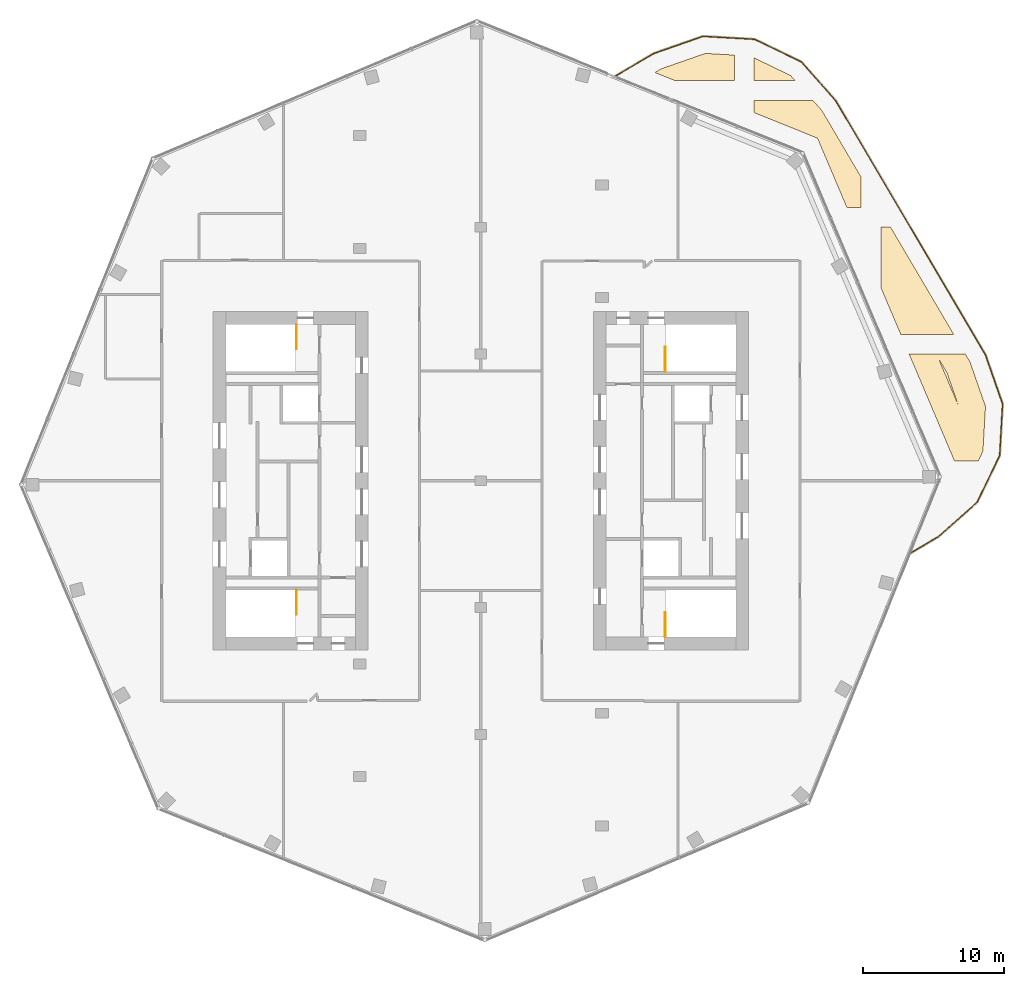
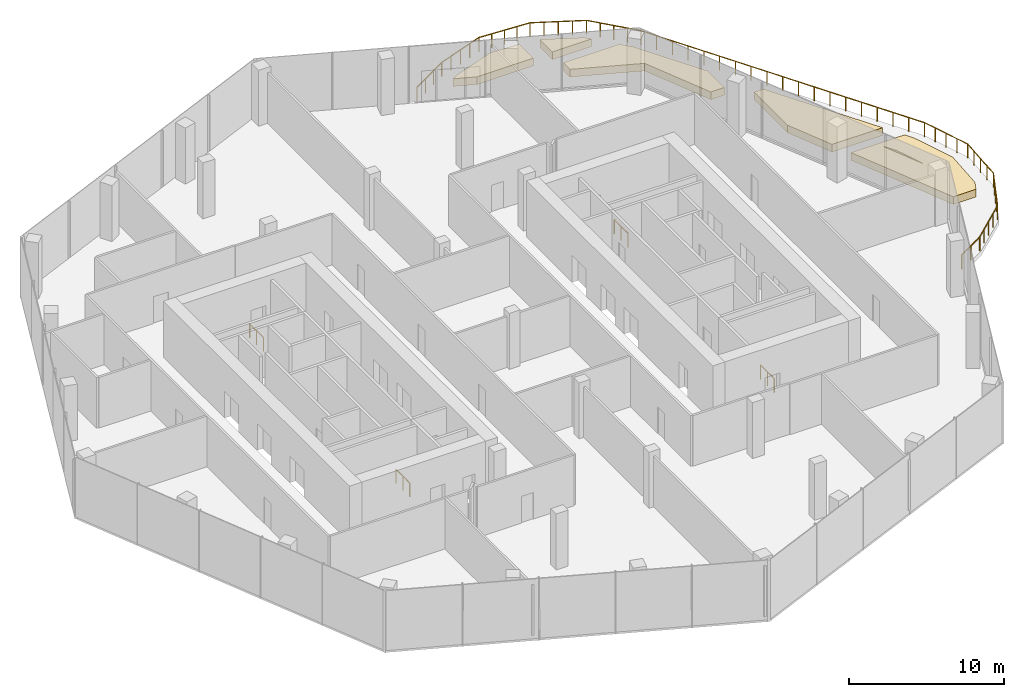
# One storey, part 15 of 15: 5 coverings, 5 railings.
"""IFC4 building model written with IfcOpenShell, lengths in metres."""

import ifcopenshell
import ifcopenshell.guid

model = None  # the IFC model being written
_history = None  # IfcOwnerHistory: only IFC2X3 demands one
_inside = {}  # id of a spatial element -> (the spatial element, [elements in it])
_under = {}  # id of a project, library or spatial element -> (it, [spatial elements below it])
_declared = {}  # id of a project -> (the project, [libraries it declares])
_typed = {}  # id of a type object -> (the type object, [elements of that type])
_made_of = {}  # id of a material, layer set ... -> (it, [elements and type objects made of it])


def new_model(schema):
    """Start an empty IFC model of exactly this schema.

    Asked for "IFC4X3", IfcOpenShell would pick the latest addendum, in which some entities
    have other attributes; the version numbers below select the first issue.
    IFC2X3 requires an IfcOwnerHistory on every rooted entity: one is made here for all.
    """
    global model, _history
    if schema == "IFC4X3":
        model = ifcopenshell.file(schema_version=(4, 3, 0, 0))
    else:
        model = ifcopenshell.file(schema=schema)
    _inside.clear()
    _under.clear()
    _declared.clear()
    _typed.clear()
    _made_of.clear()
    _history = None
    if model.schema == "IFC2X3":
        org = make("IfcOrganization", Name="unknown")
        user = make(
            "IfcPersonAndOrganization",
            ThePerson=make("IfcPerson", FamilyName="unknown"),
            TheOrganization=org,
        )
        app = make(
            "IfcApplication",
            ApplicationDeveloper=org,
            Version="unknown",
            ApplicationFullName="unknown",
            ApplicationIdentifier="unknown",
        )
        _history = make(
            "IfcOwnerHistory",
            OwningUser=user,
            OwningApplication=app,
            ChangeAction="ADDED",
            CreationDate=0,
        )
    return model


def make(cls, **values):
    """One entity of the class cls with the attributes given. An attribute that is None is left unset."""
    return model.create_entity(
        cls, **{name: value for name, value in values.items() if value is not None}
    )


def rooted(cls, **values):
    """An entity with a GlobalId (a new one), such as an element, a storey or a relation."""
    return make(cls, GlobalId=ifcopenshell.guid.new(), OwnerHistory=_history, **values)


def si_unit(unit_type, name, prefix=None):
    """IfcSIUnit, for example si_unit("LENGTHUNIT", "METRE", prefix="MILLI")."""
    return make("IfcSIUnit", UnitType=unit_type, Prefix=prefix, Name=name)


def assignment(units):
    """IfcUnitAssignment: the units of a project."""
    return None if units is None else make("IfcUnitAssignment", Units=units)


def point(xyz):
    """IfcCartesianPoint."""
    return None if xyz is None else make("IfcCartesianPoint", Coordinates=xyz)


def direction(xyz):
    """IfcDirection."""
    return None if xyz is None else make("IfcDirection", DirectionRatios=xyz)


def frame(location, z_axis=None, x_axis=None):
    """IfcAxis2Placement3D, a coordinate frame: its origin and axes. An axis left out is left unset."""
    return make(
        "IfcAxis2Placement3D",
        Location=point(location),
        Axis=direction(z_axis),
        RefDirection=direction(x_axis),
    )


def frame_2d(location, x_axis=None):
    """IfcAxis2Placement2D, a coordinate frame in the plane: its origin and x axis."""
    return make(
        "IfcAxis2Placement2D", Location=point(location), RefDirection=direction(x_axis)
    )


def origin():
    """The frame at (0, 0, 0) with its axes left unset."""
    return frame((0.0, 0.0, 0.0))


def origin_2d():
    """The frame at (0, 0) in the plane with its x axis left unset."""
    return frame_2d((0.0, 0.0))


def place(relative_to, where):
    """IfcLocalPlacement: puts the frame where relative to a parent placement (None: the world)."""
    return make(
        "IfcLocalPlacement", PlacementRelTo=relative_to, RelativePlacement=where
    )


def context(
    kind, dimensions, precision=None, world=None, true_north=None, identifier=None
):
    """IfcGeometricRepresentationContext, for example the 3D "Model" context."""
    return make(
        "IfcGeometricRepresentationContext",
        ContextIdentifier=identifier,
        ContextType=kind,
        CoordinateSpaceDimension=dimensions,
        Precision=precision,
        WorldCoordinateSystem=world,
        TrueNorth=true_north,
    )


def subcontext(parent, identifier, kind, view, scale=None):
    """IfcGeometricRepresentationSubContext, for example "Body" below "Model"."""
    return make(
        "IfcGeometricRepresentationSubContext",
        ContextIdentifier=identifier,
        ContextType=kind,
        ParentContext=parent,
        TargetScale=scale,
        TargetView=view,
    )


def project(units=None, contexts=None):
    """IfcProject with its units and contexts."""
    return rooted(
        "IfcProject",
        Name="project",
        RepresentationContexts=contexts,
        UnitsInContext=assignment(units),
    )


def spatial(cls, under=None, at=None, **own):
    """A site, building, storey or space (cls), placed at a placement, below another one or the project."""
    s = rooted(cls, ObjectPlacement=at, **own)
    if under is not None:
        _under.setdefault(under.id(), (under, []))[1].append(s)
    return s


def polyline(points):
    """IfcPolyline through the points."""
    return make("IfcPolyline", Points=[point(p) for p in points])


def profile(cls, at=None, kind="AREA", **sizes):
    """A parametric profile (cls). Its sizes go by their IFC names, for example OverallWidth=200.0."""
    return make(cls, ProfileType=kind, Position=at, **sizes)


def circle(**sizes):
    """IfcCircleProfileDef."""
    return profile("IfcCircleProfileDef", **sizes)


def outline(outer, holes=None, kind="AREA"):
    """IfcArbitraryClosedProfileDef: a profile drawn as a closed curve; with holes, ...WithVoids."""
    if holes is None:
        return make("IfcArbitraryClosedProfileDef", ProfileType=kind, OuterCurve=outer)
    return make(
        "IfcArbitraryProfileDefWithVoids",
        ProfileType=kind,
        OuterCurve=outer,
        InnerCurves=holes,
    )


def extrude(swept, where, along, depth):
    """IfcExtrudedAreaSolid: the profile swept, set in the frame where, extruded along a direction by depth."""
    return make(
        "IfcExtrudedAreaSolid",
        SweptArea=swept,
        Position=where,
        ExtrudedDirection=direction(along),
        Depth=depth,
    )


def shape(context_of_items, identifier, shape_type, items):
    """IfcShapeRepresentation: the items that make up one representation, for example the "Body"."""
    return make(
        "IfcShapeRepresentation",
        ContextOfItems=context_of_items,
        RepresentationIdentifier=identifier,
        RepresentationType=shape_type,
        Items=items,
    )


def material(Name=None, Category=None):
    """IfcMaterial."""
    return make("IfcMaterial", Name=Name, Category=Category)


def layer(
    of_material, thickness, ventilated=None, Name=None, Category=None, Priority=None
):
    """IfcMaterialLayer: one layer of a wall or slab, of a material (None: an air gap)."""
    return make(
        "IfcMaterialLayer",
        Material=of_material,
        LayerThickness=thickness,
        IsVentilated=ventilated,
        Name=Name,
        Category=Category,
        Priority=Priority,
    )


def layer_set(layers, Name=None):
    """IfcMaterialLayerSet."""
    return make("IfcMaterialLayerSet", MaterialLayers=layers, LayerSetName=Name)


def made_of(thing, what):
    """Note that an element or type object is made of a material, layer set ...; save() writes the relation."""
    if what is not None:
        _made_of.setdefault(what.id(), (what, []))[1].append(thing)
    return thing


def type_object(cls, material=None, **own):
    """A type object (cls), such as IfcWallType, which elements share."""
    return made_of(rooted(cls, **own), material)


def element(
    cls,
    number,
    at=None,
    inside=None,
    cuts=None,
    type_object=None,
    material=None,
    context=None,
    identifier="Body",
    shape_type=None,
    held_by="IfcProductDefinitionShape",
    body=None,
    shapes=None,
    **own,
):
    """One element of the class cls, such as IfcWall. Its Tag is "e" and its number.

    at: its placement. inside: the storey or other place that contains it. cuts: it is an
    opening in that element (IfcRelVoidsElement). A single representation is given by context,
    identifier, shape_type and body (its items); several are given by shapes. held_by: the class
    of the entity that holds the representations. save() writes the other relations.
    """
    e = rooted(cls, Tag="e%d" % number, ObjectPlacement=at, **own)
    if body is not None:
        shapes = [shape(context, identifier, shape_type, body)]
    if shapes is not None:
        e.Representation = make(held_by, Representations=shapes)
    if inside is not None:
        _inside.setdefault(inside.id(), (inside, []))[1].append(e)
    if cuts is not None:
        rooted(
            "IfcRelVoidsElement", RelatingBuildingElement=cuts, RelatedOpeningElement=e
        )
    if type_object is not None:
        _typed.setdefault(type_object.id(), (type_object, []))[1].append(e)
    return made_of(e, material)


def aggregate(whole, parts):
    """IfcRelAggregates: a whole, such as a stair, and the parts it consists of."""
    return rooted("IfcRelAggregates", RelatingObject=whole, RelatedObjects=parts)


def save(model, path):
    """Write the relations noted so far, then the file.

    IfcRelAggregates (storeys below a building ...), IfcRelContainedInSpatialStructure (elements
    in a storey), IfcRelDefinesByType, IfcRelAssociatesMaterial and IfcRelDeclares: one each for
    every whole, place, type object, material and project.
    """
    for whole, parts in _under.values():
        aggregate(whole, parts)
    for where, things in _inside.values():
        rooted(
            "IfcRelContainedInSpatialStructure",
            RelatedElements=things,
            RelatingStructure=where,
        )
    for kind, things in _typed.values():
        rooted("IfcRelDefinesByType", RelatedObjects=things, RelatingType=kind)
    for what, things in _made_of.values():
        rooted("IfcRelAssociatesMaterial", RelatedObjects=things, RelatingMaterial=what)
    for by, libraries in _declared.values():
        rooted("IfcRelDeclares", RelatingContext=by, RelatedDefinitions=libraries)
    model.write(path)


model = new_model("IFC4")

# Units and contexts
model_context = context("Model", 3, precision=1e-05, world=origin(), true_north=direction((0.0, 1.0)))
body_context = subcontext(model_context, "Body", "Model", "MODEL_VIEW")
ifc_project = project(units=[si_unit("LENGTHUNIT", "METRE"), si_unit("AREAUNIT", "SQUARE_METRE"), si_unit("VOLUMEUNIT", "CUBIC_METRE"), si_unit("PLANEANGLEUNIT", "RADIAN"), si_unit("MASSUNIT", "GRAM", prefix="KILO")], contexts=[model_context])

# Site, building, storey
site_placement = place(None, origin())
site = spatial("IfcSite", under=ifc_project, at=site_placement, CompositionType="ELEMENT")
building_placement = place(site_placement, origin())
building = spatial("IfcBuilding", under=site, at=building_placement, Name="Orlundy Tower", CompositionType="ELEMENT")
storey_placement = place(building_placement, frame((0.0, 0.0, 299.89990234375)))
storey = spatial("IfcBuildingStorey", under=building, at=storey_placement, Name="L80", CompositionType="ELEMENT", Elevation=299.89990234375)

# Coverings
ifc_material_1 = material(Name="Planted soil in precast concrete trough", Category="concrete")
ifc_layer = layer(ifc_material_1, 0.60009765625)
ifc_layer_set = layer_set([ifc_layer], Name="PLANTER box")
covering_type = type_object("IfcCoveringType", Name="PLANTER box", PredefinedType="USERDEFINED", material=ifc_layer_set)
covering_1_placement = place(storey_placement, origin())
element("IfcCovering", 1, at=covering_1_placement, inside=storey, type_object=covering_type, Name="PLANTER L80-00", ObjectType="PLANTER", PredefinedType="USERDEFINED", context=body_context, shape_type="SweptSolid", body=[
    extrude(outline(polyline([(18.0, 30.220947265625), (18.0, 28.39990234375), (13.797119140625, 28.39990234375), (12.35693359375, 28.98193359375), (12.801025390625, 29.243896484375), (15.93505859375, 30.337890625), (18.0, 30.220947265625)])), origin(), (0.0, 0.0, 1.0), 0.60009765625),
])
covering_2_placement = place(storey_placement, origin())
element("IfcCovering", 2, at=covering_2_placement, inside=storey, type_object=covering_type, Name="PLANTER L80-01", ObjectType="PLANTER", PredefinedType="USERDEFINED", context=body_context, shape_type="SweptSolid", body=[
    extrude(outline(polyline([(21.991943359375, 28.77099609375), (22.322998046875, 28.39990234375), (19.39990234375, 28.39990234375), (19.39990234375, 30.02294921875), (21.991943359375, 28.77099609375)])), origin(), (0.0, 0.0, 1.0), 0.60009765625),
])
covering_3_placement = place(storey_placement, origin())
element("IfcCovering", 3, at=covering_3_placement, inside=storey, type_object=covering_type, Name="PLANTER L80-02", ObjectType="PLANTER", PredefinedType="USERDEFINED", context=body_context, shape_type="SweptSolid", body=[
    extrude(outline(polyline([(24.2041015625, 26.294921875), (27.0, 21.548095703125), (27.0, 19.39990234375), (25.986083984375, 19.39990234375), (23.89794921875, 24.319091796875), (19.39990234375, 26.135986328125), (19.39990234375, 27.0), (23.573974609375, 27.0), (24.2041015625, 26.294921875)])), origin(), (0.0, 0.0, 1.0), 0.60009765625),
])
covering_4_placement = place(storey_placement, origin())
element("IfcCovering", 4, at=covering_4_placement, inside=storey, type_object=covering_type, Name="PLANTER L80-03", ObjectType="PLANTER", PredefinedType="USERDEFINED", context=body_context, shape_type="SweptSolid", body=[
    extrude(outline(polyline([(33.56689453125, 10.39990234375), (29.805908203125, 10.39990234375), (28.39990234375, 13.712890625), (28.39990234375, 18.0), (29.090087890625, 18.0), (33.56689453125, 10.39990234375)])), origin(), (0.0, 0.0, 1.0), 0.60009765625),
])
covering_5_placement = place(storey_placement, origin())
element("IfcCovering", 5, at=covering_5_placement, inside=storey, type_object=covering_type, Name="PLANTER L80-04", ObjectType="PLANTER", PredefinedType="USERDEFINED", context=body_context, shape_type="SweptSolid", body=[
    extrude(outline(polyline([(34.73193359375, 8.422119140625), (35.825927734375, 5.287109375), (35.64599609375, 2.10107421875), (35.30810546875, 1.39990234375), (33.626953125, 1.39990234375), (30.40087890625, 9.0), (34.39208984375, 9.0), (34.73193359375, 8.422119140625)]), holes=[polyline([(33.091064453125, 7.660888671875), (32.4951171875, 8.672119140625), (33.863037109375, 5.449951171875), (33.091064453125, 7.660888671875)])]), origin(), (0.0, 0.0, 1.0), 0.60009765625),
])

# Railings
ifc_material_2 = material(Name="Steel balustrade", Category="steel")
railing_type_1 = type_object("IfcRailingType", Name="Stair Guard 1100", PredefinedType="GUARDRAIL", material=ifc_material_2)
for number, where, name in (
    (6, (-13.090087890625, 11.10009765625, 0.0), "L80 ST-W1 top well guard 1"),
    (7, (-13.090087890625, -7.75, 0.0), "L80 ST-W2 top well guard 1"),
):
    element("IfcRailing", number, at=place(storey_placement, frame(where)), inside=storey, type_object=railing_type_1, Name=name, PredefinedType="GUARDRAIL", context=body_context, shape_type="SweptSolid", body=[
        extrude(circle(Radius=0.02392578125, at=origin_2d()), frame((0.0, 0.0, 1.076171875), z_axis=(0.0, -1.0, 0.0), x_axis=(1.0, 0.0, 0.0)), (0.0, 0.0, 1.0), 1.75),
        extrude(circle(Radius=0.02099609375, at=origin_2d()), origin(), (0.0, 0.0, 1.0), 1.052001953125),
        extrude(circle(Radius=0.02099609375, at=origin_2d()), frame((0.0, -0.875, 0.0)), (0.0, 0.0, 1.0), 1.052001953125),
        extrude(circle(Radius=0.02099609375, at=origin_2d()), frame((0.0, -1.75, 0.0)), (0.0, 0.0, 1.0), 1.052001953125),
    ])
for number, where, name in (
    (8, (13.090087890625, -11.10009765625, 0.0), "L80 ST-E1 top well guard 1"),
    (9, (13.090087890625, 7.75, 0.0), "L80 ST-E2 top well guard 1"),
):
    element("IfcRailing", number, at=place(storey_placement, frame(where)), inside=storey, type_object=railing_type_1, Name=name, PredefinedType="GUARDRAIL", context=body_context, shape_type="SweptSolid", body=[
        extrude(circle(Radius=0.02392578125, at=origin_2d()), frame((0.0, 0.0, 1.076171875), z_axis=(0.0, 1.0, 0.0), x_axis=(-1.0, 0.0, 0.0)), (0.0, 0.0, 1.0), 1.75),
        extrude(circle(Radius=0.02099609375, at=origin_2d()), origin(), (0.0, 0.0, 1.0), 1.052001953125),
        extrude(circle(Radius=0.02099609375, at=origin_2d()), frame((0.0, 0.875, 0.0)), (0.0, 0.0, 1.0), 1.052001953125),
        extrude(circle(Radius=0.02099609375, at=origin_2d()), frame((0.0, 1.75, 0.0)), (0.0, 0.0, 1.0), 1.052001953125),
    ])
ifc_material_3 = material(Name="Stainless steel bronze finish", Category="steel")
railing_type_2 = type_object("IfcRailingType", Name="TG1 terrace guard", PredefinedType="GUARDRAIL", material=ifc_material_3)
railing_placement = place(storey_placement, frame((9.519287109375, 28.704833984375, 0.0)))
element("IfcRailing", 10, at=railing_placement, inside=storey, type_object=railing_type_2, Name="Guard TG-L80-00", PredefinedType="GUARDRAIL", context=body_context, shape_type="SweptSolid", body=[
    extrude(circle(Radius=0.02490234375, at=origin_2d()), frame((0.0, 0.0, 1.09521484375), z_axis=(0.861811379873, 0.50722888869, 0.0), x_axis=(-0.50722888869, 0.861811379873, 0.0)), (0.0, 0.0, 1.0), 3.219482421875),
    extrude(circle(Radius=0.02490234375, at=origin_2d()), frame((2.774658203125, 1.633056640625, 1.09521484375), z_axis=(0.944055973883, 0.3297852607, 0.0), x_axis=(-0.3297852607, 0.944055973883, 0.0)), (0.0, 0.0, 1.0), 3.675537109375),
    extrude(circle(Radius=0.02490234375, at=origin_2d()), frame((6.24462890625, 2.84521484375, 1.09521484375), z_axis=(0.99839077277, -0.056708595893, 0.0), x_axis=(0.056708595893, 0.99839077277, 0.0)), (0.0, 0.0, 1.0), 3.66796875),
    extrude(circle(Radius=0.02490234375, at=origin_2d()), frame((9.90673828125, 2.63720703125, 1.09521484375), z_axis=(0.900714258943, -0.434412043729, 0.0), x_axis=(0.434412043729, 0.900714258943, 0.0)), (0.0, 0.0, 1.0), 3.6669921875),
    extrude(circle(Radius=0.02490234375, at=origin_2d()), frame((13.209716796875, 1.044189453125, 1.09521484375), z_axis=(0.666006533355, -0.74594590791, 0.0), x_axis=(0.74594590791, 0.666006533355, 0.0)), (0.0, 0.0, 1.0), 3.677001953125),
    extrude(circle(Radius=0.02490234375, at=origin_2d()), frame((15.65869140625, -1.69873046875, 1.09521484375), z_axis=(0.507527570844, -0.861635517393, 0.0), x_axis=(0.861635517393, 0.507527570844, 0.0)), (0.0, 0.0, 1.0), 20.97998046875),
    extrude(circle(Radius=0.02490234375, at=origin_2d()), frame((26.306640625, -19.77587890625, 1.09521484375), z_axis=(0.329702561998, -0.944084858798, 0.0), x_axis=(0.944084858798, 0.329702561998, 0.0)), (0.0, 0.0, 1.0), 3.676513671875),
    extrude(circle(Radius=0.02490234375, at=origin_2d()), frame((27.518798828125, -23.246826171875, 1.09521484375), z_axis=(-0.056693526232, -0.998391628612, 0.0), x_axis=(0.998391628612, -0.056693526232, 0.0)), (0.0, 0.0, 1.0), 3.6689453125),
    extrude(circle(Radius=0.02490234375, at=origin_2d()), frame((27.310791015625, -26.909912109375, 1.09521484375), z_axis=(-0.434300150631, -0.900768216114, 0.0), x_axis=(0.900768216114, -0.434300150631, 0.0)), (0.0, 0.0, 1.0), 3.665771484375),
    extrude(circle(Radius=0.02490234375, at=origin_2d()), frame((25.71875, -30.2119140625, 1.09521484375), z_axis=(-0.746093105241, -0.665841631555, 0.0), x_axis=(0.665841631555, -0.746093105241, 0.0)), (0.0, 0.0, 1.0), 3.677978515625),
    extrude(circle(Radius=0.02490234375, at=origin_2d()), frame((22.974609375, -32.660888671875, 1.09521484375), z_axis=(-0.861685460856, -0.507442771698, 0.0), x_axis=(0.507442771698, -0.861685460856, 0.0)), (0.0, 0.0, 1.0), 2.347412109375),
    extrude(circle(Radius=0.02001953125, at=origin_2d()), origin(), (0.0, 0.0, 1.0), 1.070068359375),
    extrude(circle(Radius=0.02001953125, at=origin_2d()), frame((0.9248046875, 0.54443359375, 0.0)), (0.0, 0.0, 1.0), 1.070068359375),
    extrude(circle(Radius=0.02001953125, at=origin_2d()), frame((1.849853515625, 1.088623046875, 0.0)), (0.0, 0.0, 1.0), 1.070068359375),
    extrude(circle(Radius=0.02001953125, at=origin_2d()), frame((2.774658203125, 1.633056640625, 0.0)), (0.0, 0.0, 1.0), 1.070068359375),
    extrude(circle(Radius=0.02001953125, at=origin_2d()), frame((3.64208984375, 1.93603515625, 0.0)), (0.0, 0.0, 1.0), 1.070068359375),
    extrude(circle(Radius=0.02001953125, at=origin_2d()), frame((4.509765625, 2.2392578125, 0.0)), (0.0, 0.0, 1.0), 1.070068359375),
    extrude(circle(Radius=0.02001953125, at=origin_2d()), frame((5.377197265625, 2.542236328125, 0.0)), (0.0, 0.0, 1.0), 1.070068359375),
    extrude(circle(Radius=0.02001953125, at=origin_2d()), frame((6.24462890625, 2.84521484375, 0.0)), (0.0, 0.0, 1.0), 1.070068359375),
    extrude(circle(Radius=0.02001953125, at=origin_2d()), frame((7.16015625, 2.793212890625, 0.0)), (0.0, 0.0, 1.0), 1.070068359375),
    extrude(circle(Radius=0.02001953125, at=origin_2d()), frame((8.07568359375, 2.7412109375, 0.0)), (0.0, 0.0, 1.0), 1.070068359375),
    extrude(circle(Radius=0.02001953125, at=origin_2d()), frame((8.9912109375, 2.689208984375, 0.0)), (0.0, 0.0, 1.0), 1.070068359375),
    extrude(circle(Radius=0.02001953125, at=origin_2d()), frame((9.90673828125, 2.63720703125, 0.0)), (0.0, 0.0, 1.0), 1.070068359375),
    extrude(circle(Radius=0.02001953125, at=origin_2d()), frame((10.732421875, 2.239013671875, 0.0)), (0.0, 0.0, 1.0), 1.070068359375),
    extrude(circle(Radius=0.02001953125, at=origin_2d()), frame((11.55810546875, 1.8408203125, 0.0)), (0.0, 0.0, 1.0), 1.070068359375),
    extrude(circle(Radius=0.02001953125, at=origin_2d()), frame((12.384033203125, 1.4423828125, 0.0)), (0.0, 0.0, 1.0), 1.070068359375),
    extrude(circle(Radius=0.02001953125, at=origin_2d()), frame((13.209716796875, 1.044189453125, 0.0)), (0.0, 0.0, 1.0), 1.070068359375),
    extrude(circle(Radius=0.02001953125, at=origin_2d()), frame((13.822021484375, 0.3583984375, 0.0)), (0.0, 0.0, 1.0), 1.070068359375),
    extrude(circle(Radius=0.02001953125, at=origin_2d()), frame((14.43408203125, -0.3271484375, 0.0)), (0.0, 0.0, 1.0), 1.070068359375),
    extrude(circle(Radius=0.02001953125, at=origin_2d()), frame((15.04638671875, -1.012939453125, 0.0)), (0.0, 0.0, 1.0), 1.070068359375),
    extrude(circle(Radius=0.02001953125, at=origin_2d()), frame((15.65869140625, -1.69873046875, 0.0)), (0.0, 0.0, 1.0), 1.070068359375),
    extrude(circle(Radius=0.02001953125, at=origin_2d()), frame((16.250244140625, -2.703125, 0.0)), (0.0, 0.0, 1.0), 1.070068359375),
    extrude(circle(Radius=0.02001953125, at=origin_2d()), frame((16.841796875, -3.707275390625, 0.0)), (0.0, 0.0, 1.0), 1.070068359375),
    extrude(circle(Radius=0.02001953125, at=origin_2d()), frame((17.433349609375, -4.711669921875, 0.0)), (0.0, 0.0, 1.0), 1.070068359375),
    extrude(circle(Radius=0.02001953125, at=origin_2d()), frame((18.02490234375, -5.7158203125, 0.0)), (0.0, 0.0, 1.0), 1.070068359375),
    extrude(circle(Radius=0.02001953125, at=origin_2d()), frame((18.616455078125, -6.72021484375, 0.0)), (0.0, 0.0, 1.0), 1.070068359375),
    extrude(circle(Radius=0.02001953125, at=origin_2d()), frame((19.2080078125, -7.724365234375, 0.0)), (0.0, 0.0, 1.0), 1.070068359375),
    extrude(circle(Radius=0.02001953125, at=origin_2d()), frame((19.799560546875, -8.728759765625, 0.0)), (0.0, 0.0, 1.0), 1.070068359375),
    extrude(circle(Radius=0.02001953125, at=origin_2d()), frame((20.39111328125, -9.73291015625, 0.0)), (0.0, 0.0, 1.0), 1.070068359375),
    extrude(circle(Radius=0.02001953125, at=origin_2d()), frame((20.982666015625, -10.7373046875, 0.0)), (0.0, 0.0, 1.0), 1.070068359375),
    extrude(circle(Radius=0.02001953125, at=origin_2d()), frame((21.57421875, -11.74169921875, 0.0)), (0.0, 0.0, 1.0), 1.070068359375),
    extrude(circle(Radius=0.02001953125, at=origin_2d()), frame((22.165771484375, -12.745849609375, 0.0)), (0.0, 0.0, 1.0), 1.070068359375),
    extrude(circle(Radius=0.02001953125, at=origin_2d()), frame((22.75732421875, -13.750244140625, 0.0)), (0.0, 0.0, 1.0), 1.070068359375),
    extrude(circle(Radius=0.02001953125, at=origin_2d()), frame((23.348876953125, -14.75439453125, 0.0)), (0.0, 0.0, 1.0), 1.070068359375),
    extrude(circle(Radius=0.02001953125, at=origin_2d()), frame((23.9404296875, -15.7587890625, 0.0)), (0.0, 0.0, 1.0), 1.070068359375),
    extrude(circle(Radius=0.02001953125, at=origin_2d()), frame((24.531982421875, -16.762939453125, 0.0)), (0.0, 0.0, 1.0), 1.070068359375),
    extrude(circle(Radius=0.02001953125, at=origin_2d()), frame((25.12353515625, -17.767333984375, 0.0)), (0.0, 0.0, 1.0), 1.070068359375),
    extrude(circle(Radius=0.02001953125, at=origin_2d()), frame((25.715087890625, -18.771484375, 0.0)), (0.0, 0.0, 1.0), 1.070068359375),
    extrude(circle(Radius=0.02001953125, at=origin_2d()), frame((26.306640625, -19.77587890625, 0.0)), (0.0, 0.0, 1.0), 1.070068359375),
    extrude(circle(Radius=0.02001953125, at=origin_2d()), frame((26.609619140625, -20.6435546875, 0.0)), (0.0, 0.0, 1.0), 1.070068359375),
    extrude(circle(Radius=0.02001953125, at=origin_2d()), frame((26.91259765625, -21.51123046875, 0.0)), (0.0, 0.0, 1.0), 1.070068359375),
    extrude(circle(Radius=0.02001953125, at=origin_2d()), frame((27.2158203125, -22.379150390625, 0.0)), (0.0, 0.0, 1.0), 1.070068359375),
    extrude(circle(Radius=0.02001953125, at=origin_2d()), frame((27.518798828125, -23.246826171875, 0.0)), (0.0, 0.0, 1.0), 1.070068359375),
    extrude(circle(Radius=0.02001953125, at=origin_2d()), frame((27.466796875, -24.16259765625, 0.0)), (0.0, 0.0, 1.0), 1.070068359375),
    extrude(circle(Radius=0.02001953125, at=origin_2d()), frame((27.414794921875, -25.078369140625, 0.0)), (0.0, 0.0, 1.0), 1.070068359375),
    extrude(circle(Radius=0.02001953125, at=origin_2d()), frame((27.36279296875, -25.994140625, 0.0)), (0.0, 0.0, 1.0), 1.070068359375),
    extrude(circle(Radius=0.02001953125, at=origin_2d()), frame((27.310791015625, -26.909912109375, 0.0)), (0.0, 0.0, 1.0), 1.070068359375),
    extrude(circle(Radius=0.02001953125, at=origin_2d()), frame((26.912841796875, -27.7353515625, 0.0)), (0.0, 0.0, 1.0), 1.070068359375),
    extrude(circle(Radius=0.02001953125, at=origin_2d()), frame((26.5146484375, -28.56103515625, 0.0)), (0.0, 0.0, 1.0), 1.070068359375),
    extrude(circle(Radius=0.02001953125, at=origin_2d()), frame((26.11669921875, -29.386474609375, 0.0)), (0.0, 0.0, 1.0), 1.070068359375),
    extrude(circle(Radius=0.02001953125, at=origin_2d()), frame((25.71875, -30.2119140625, 0.0)), (0.0, 0.0, 1.0), 1.070068359375),
    extrude(circle(Radius=0.02001953125, at=origin_2d()), frame((25.03271484375, -30.82421875, 0.0)), (0.0, 0.0, 1.0), 1.070068359375),
    extrude(circle(Radius=0.02001953125, at=origin_2d()), frame((24.3466796875, -31.4365234375, 0.0)), (0.0, 0.0, 1.0), 1.070068359375),
    extrude(circle(Radius=0.02001953125, at=origin_2d()), frame((23.66064453125, -32.048583984375, 0.0)), (0.0, 0.0, 1.0), 1.070068359375),
    extrude(circle(Radius=0.02001953125, at=origin_2d()), frame((22.974609375, -32.660888671875, 0.0)), (0.0, 0.0, 1.0), 1.070068359375),
    extrude(circle(Radius=0.02001953125, at=origin_2d()), frame((21.96337890625, -33.25634765625, 0.0)), (0.0, 0.0, 1.0), 1.070068359375),
    extrude(circle(Radius=0.02001953125, at=origin_2d()), frame((20.951904296875, -33.85205078125, 0.0)), (0.0, 0.0, 1.0), 1.070068359375),
])

save(model, "model.ifc")
